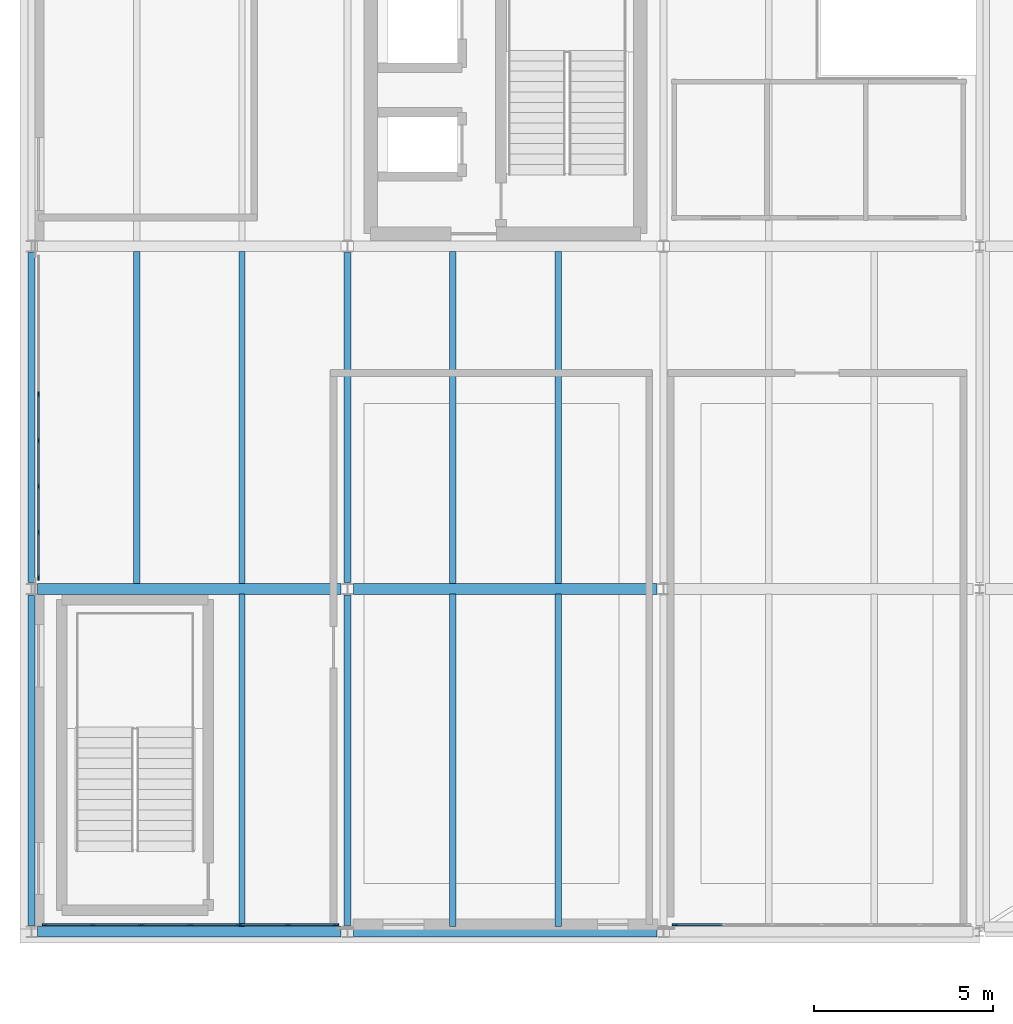
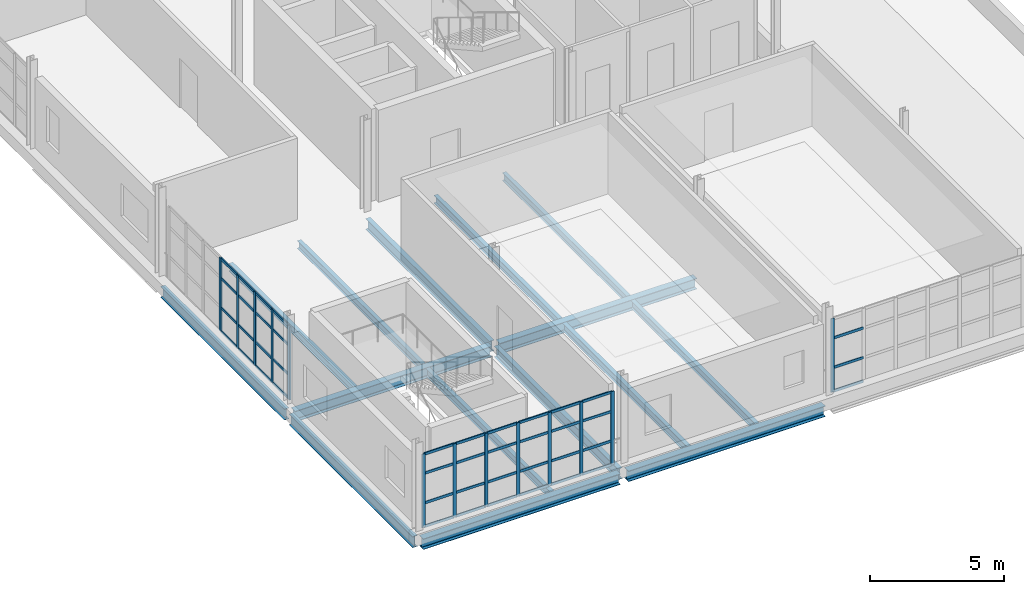
# One storey, part 16 of 58: 56 members, 15 beams, 3 elements without a shape of their own.
"""IFC4 building model written with IfcOpenShell, lengths in metres."""

from ifc_helpers import new_model, si_unit, direction, frame, origin, origin_2d, place, context, subcontext, project, spatial, rectangle, i_section, extrude, material, layer, layer_set, material_profile, profile_set, type_object, element, aggregate, save


model = new_model("IFC4")

# Units and contexts
model_context = context("Model", 3, precision=1e-05, world=origin(), true_north=direction((0.0, 1.0)))
body_context = subcontext(model_context, "Body", "Model", "MODEL_VIEW")
ifc_project = project(units=[si_unit("LENGTHUNIT", "METRE"), si_unit("AREAUNIT", "SQUARE_METRE"), si_unit("VOLUMEUNIT", "CUBIC_METRE"), si_unit("PLANEANGLEUNIT", "RADIAN"), si_unit("MASSUNIT", "GRAM", prefix="KILO")], contexts=[model_context])

# Site, building, storey
site_placement = place(None, origin())
site = spatial("IfcSite", under=ifc_project, at=site_placement, CompositionType="ELEMENT")
building_placement = place(site_placement, origin())
building = spatial("IfcBuilding", under=site, at=building_placement, Name="Yeouljin Market Hall", CompositionType="ELEMENT")
storey_placement = place(building_placement, frame((0.0, 0.0, 10.800048828125)))
storey = spatial("IfcBuildingStorey", under=building, at=storey_placement, Name="L02", CompositionType="ELEMENT", Elevation=10.800048828125)

# Beams
ifc_material_1 = material(Name="Steel SM355", Category="steel")
ifc_material_profile_1 = material_profile(ifc_material_1, i_section(OverallWidth=0.199951171875, OverallDepth=0.5, WebThickness=0.010009765625, FlangeThickness=0.01611328125, FilletRadius=0.02001953125, at=origin_2d()), Name="H-500x200x10x16")
ifc_profile_set_1 = profile_set([ifc_material_profile_1], Name="Steel SM355")
beam_type_1 = type_object("IfcBeamType", Name="Beam_H-500x200x10x16", PredefinedType="BEAM", material=ifc_profile_set_1)
for number, where, z_axis, x_axis, name in (
    (1, (0.0, 0.175048828125, -0.51513671875), (0.0, 1.0, 0.0), (-1.0, 0.0, 0.0), "Primary beam BM-L02-Y077"),
    (2, (0.0, 9.77490234375, -0.51513671875), (0.0, 1.0, 0.0), (-1.0, 0.0, 0.0), "Primary beam BM-L02-Y078"),
    (3, (8.85009765625, 0.175048828125, -0.51513671875), (0.0, 1.0, 0.0), (-1.0, 0.0, 0.0), "Primary beam BM-L02-Y081"),
    (4, (8.85009765625, 9.77490234375, -0.51513671875), (0.0, 1.0, 0.0), (-1.0, 0.0, 0.0), "Primary beam BM-L02-Y082"),
):
    element("IfcBeam", number, at=place(storey_placement, frame(where, z_axis=z_axis, x_axis=x_axis)), inside=storey, type_object=beam_type_1, Name=name, PredefinedType="BEAM", context=body_context, shape_type="SweptSolid", body=[
        extrude(i_section(OverallWidth=0.199951171875, OverallDepth=0.5, WebThickness=0.010009765625, FlangeThickness=0.01611328125, FilletRadius=0.02001953125, at=origin_2d()), origin(), (0.0, 0.0, 1.0), 9.25),
    ])

# Curtain wall, member
ifc_material_2 = material(Name="Thermally Broken Aluminium", Category="aluminium")
ifc_layer = layer(ifc_material_2, 0.14990234375)
ifc_layer_set = layer_set([ifc_layer], Name="Thermally Broken Aluminium")
curtain_wall_type = type_object("IfcCurtainWallType", Name="CW_AcademyRibbon_System", PredefinedType="USERDEFINED", material=ifc_layer_set)
curtain_wall_1_placement = place(storey_placement, origin())
curtain_wall_1 = element("IfcCurtainWall", 5, at=curtain_wall_1_placement, inside=storey, type_object=curtain_wall_type, Name="Curtain wall CW-L02-W01", ObjectType="CURTAIN WALL", PredefinedType="USERDEFINED")
ifc_material_3 = material(Name="Thermally Broken Aluminium", Category="aluminium")
ifc_material_profile_2 = material_profile(ifc_material_3, rectangle(XDim=0.048095703125, YDim=0.14990234375, at=origin_2d()), Name="CW-MULL-48x150")
ifc_profile_set_2 = profile_set([ifc_material_profile_2], Name="Thermally Broken Aluminium")
member_type_1 = type_object("IfcMemberType", Name="CWMullion_48x150", PredefinedType="MULLION", material=ifc_profile_set_2)
member_1_placement = place(storey_placement, frame((18.02392578125, 0.199951171875, 0.0), z_axis=(0.0, 0.0, 1.0), x_axis=(0.0, -1.0, 0.0)))
member_1 = element("IfcMember", 6, at=member_1_placement, type_object=member_type_1, Name="CW-05 mullion 7", PredefinedType="MULLION", context=body_context, shape_type="SweptSolid", body=[
    extrude(rectangle(XDim=0.048095703125, YDim=0.14990234375, at=origin_2d()), origin(), (0.0, 0.0, 1.0), 3.349853515625),
])

# Curtain wall, members
curtain_wall_2_placement = place(storey_placement, origin())
curtain_wall_2 = element("IfcCurtainWall", 7, at=curtain_wall_2_placement, inside=storey, type_object=curtain_wall_type, Name="Curtain wall CW-L02-W03", ObjectType="CURTAIN WALL", PredefinedType="USERDEFINED")
member_2_placement = place(storey_placement, frame((8.52587890625, 0.199951171875, 0.0), z_axis=(0.0, 0.0, 1.0), x_axis=(0.0, -1.0, 0.0)))
member_2 = element("IfcMember", 8, at=member_2_placement, type_object=member_type_1, Name="CW-05 mullion 1", PredefinedType="MULLION", context=body_context, shape_type="SweptSolid", body=[
    extrude(rectangle(XDim=0.048095703125, YDim=0.14990234375, at=origin_2d()), origin(), (0.0, 0.0, 1.0), 3.349853515625),
])
member_3_placement = place(storey_placement, frame((7.183349609375, 0.199951171875, 0.0), z_axis=(0.0, 0.0, 1.0), x_axis=(0.0, -1.0, 0.0)))
member_3 = element("IfcMember", 9, at=member_3_placement, type_object=member_type_1, Name="CW-05 mullion 2", PredefinedType="MULLION", context=body_context, shape_type="SweptSolid", body=[
    extrude(rectangle(XDim=0.048095703125, YDim=0.14990234375, at=origin_2d()), origin(), (0.0, 0.0, 1.0), 3.349853515625),
])
member_4_placement = place(storey_placement, frame((5.816650390625, 0.199951171875, 0.0), z_axis=(0.0, 0.0, 1.0), x_axis=(0.0, -1.0, 0.0)))
member_4 = element("IfcMember", 10, at=member_4_placement, type_object=member_type_1, Name="CW-05 mullion 3", PredefinedType="MULLION", context=body_context, shape_type="SweptSolid", body=[
    extrude(rectangle(XDim=0.048095703125, YDim=0.14990234375, at=origin_2d()), origin(), (0.0, 0.0, 1.0), 3.349853515625),
])
member_5_placement = place(storey_placement, frame((4.449951171875, 0.199951171875, 0.0), z_axis=(0.0, 0.0, 1.0), x_axis=(0.0, -1.0, 0.0)))
member_5 = element("IfcMember", 11, at=member_5_placement, type_object=member_type_1, Name="CW-05 mullion 4", PredefinedType="MULLION", context=body_context, shape_type="SweptSolid", body=[
    extrude(rectangle(XDim=0.048095703125, YDim=0.14990234375, at=origin_2d()), origin(), (0.0, 0.0, 1.0), 3.349853515625),
])
member_6_placement = place(storey_placement, frame((3.083251953125, 0.199951171875, 0.0), z_axis=(0.0, 0.0, 1.0), x_axis=(0.0, -1.0, 0.0)))
member_6 = element("IfcMember", 12, at=member_6_placement, type_object=member_type_1, Name="CW-05 mullion 5", PredefinedType="MULLION", context=body_context, shape_type="SweptSolid", body=[
    extrude(rectangle(XDim=0.048095703125, YDim=0.14990234375, at=origin_2d()), origin(), (0.0, 0.0, 1.0), 3.349853515625),
])
member_7_placement = place(storey_placement, frame((1.716552734375, 0.199951171875, 0.0), z_axis=(0.0, 0.0, 1.0), x_axis=(0.0, -1.0, 0.0)))
member_7 = element("IfcMember", 13, at=member_7_placement, type_object=member_type_1, Name="CW-05 mullion 6", PredefinedType="MULLION", context=body_context, shape_type="SweptSolid", body=[
    extrude(rectangle(XDim=0.048095703125, YDim=0.14990234375, at=origin_2d()), origin(), (0.0, 0.0, 1.0), 3.349853515625),
])
member_8_placement = place(storey_placement, frame((0.3740234375, 0.199951171875, 0.0), z_axis=(0.0, 0.0, 1.0), x_axis=(0.0, -1.0, 0.0)))
member_8 = element("IfcMember", 14, at=member_8_placement, type_object=member_type_1, Name="CW-05 mullion 7", PredefinedType="MULLION", context=body_context, shape_type="SweptSolid", body=[
    extrude(rectangle(XDim=0.048095703125, YDim=0.14990234375, at=origin_2d()), origin(), (0.0, 0.0, 1.0), 3.349853515625),
])

curtain_wall_3_placement = place(storey_placement, origin())
curtain_wall_3 = element("IfcCurtainWall", 15, at=curtain_wall_3_placement, inside=storey, type_object=curtain_wall_type, Name="Curtain wall CW-L02-W05", ObjectType="CURTAIN WALL", PredefinedType="USERDEFINED")
member_9_placement = place(storey_placement, frame((0.199951171875, 9.924072265625, 0.0), z_axis=(0.0, 0.0, 1.0), x_axis=(-1.0, 0.0, 0.0)))
member_9 = element("IfcMember", 16, at=member_9_placement, type_object=member_type_1, Name="CW-05 mullion 1", PredefinedType="MULLION", context=body_context, shape_type="SweptSolid", body=[
    extrude(rectangle(XDim=0.048095703125, YDim=0.14990234375, at=origin_2d()), origin(), (0.0, 0.0, 1.0), 3.349853515625),
])
member_10_placement = place(storey_placement, frame((0.199951171875, 11.185791015625, 0.0), z_axis=(0.0, 0.0, 1.0), x_axis=(-1.0, 0.0, 0.0)))
member_10 = element("IfcMember", 17, at=member_10_placement, type_object=member_type_1, Name="CW-05 mullion 2", PredefinedType="MULLION", context=body_context, shape_type="SweptSolid", body=[
    extrude(rectangle(XDim=0.048095703125, YDim=0.14990234375, at=origin_2d()), origin(), (0.0, 0.0, 1.0), 3.349853515625),
])
member_11_placement = place(storey_placement, frame((0.199951171875, 12.471435546875, 0.0), z_axis=(0.0, 0.0, 1.0), x_axis=(-1.0, 0.0, 0.0)))
member_11 = element("IfcMember", 18, at=member_11_placement, type_object=member_type_1, Name="CW-05 mullion 3", PredefinedType="MULLION", context=body_context, shape_type="SweptSolid", body=[
    extrude(rectangle(XDim=0.048095703125, YDim=0.14990234375, at=origin_2d()), origin(), (0.0, 0.0, 1.0), 3.349853515625),
])
member_12_placement = place(storey_placement, frame((0.199951171875, 13.757080078125, 0.0), z_axis=(0.0, 0.0, 1.0), x_axis=(-1.0, 0.0, 0.0)))
member_12 = element("IfcMember", 19, at=member_12_placement, type_object=member_type_1, Name="CW-05 mullion 4", PredefinedType="MULLION", context=body_context, shape_type="SweptSolid", body=[
    extrude(rectangle(XDim=0.048095703125, YDim=0.14990234375, at=origin_2d()), origin(), (0.0, 0.0, 1.0), 3.349853515625),
])
member_13_placement = place(storey_placement, frame((0.199951171875, 15.04296875, 0.0), z_axis=(0.0, 0.0, 1.0), x_axis=(-1.0, 0.0, 0.0)))
member_13 = element("IfcMember", 20, at=member_13_placement, type_object=member_type_1, Name="CW-05 mullion 5", PredefinedType="MULLION", context=body_context, shape_type="SweptSolid", body=[
    extrude(rectangle(XDim=0.048095703125, YDim=0.14990234375, at=origin_2d()), origin(), (0.0, 0.0, 1.0), 3.349853515625),
])

# Member
ifc_material_4 = material(Name="Thermally Broken Aluminium", Category="aluminium")
ifc_material_profile_3 = material_profile(ifc_material_4, rectangle(XDim=0.048095703125, YDim=0.1201171875, at=origin_2d()), Name="CW-TRAN-48x120")
ifc_profile_set_3 = profile_set([ifc_material_profile_3], Name="Thermally Broken Aluminium")
member_type_2 = type_object("IfcMemberType", Name="CWTransom_48x120", PredefinedType="USERDEFINED", material=ifc_profile_set_3)
member_14_placement = place(storey_placement, frame((19.35107421875, 0.199951171875, 0.02392578125), z_axis=(-1.0, 0.0, 0.0), x_axis=(0.0, -1.0, 0.0)))
member_14 = element("IfcMember", 21, at=member_14_placement, type_object=member_type_2, Name="CW-05 transom 6.1", ObjectType="TRANSOM", PredefinedType="USERDEFINED", context=body_context, shape_type="SweptSolid", body=[
    extrude(rectangle(XDim=0.048095703125, YDim=0.1201171875, at=origin_2d()), origin(), (0.0, 0.0, 1.0), 1.302978515625),
])

member_15_placement = place(storey_placement, frame((19.35107421875, 0.199951171875, 1.099853515625), z_axis=(-1.0, 0.0, 0.0), x_axis=(0.0, -1.0, 0.0)))
member_15 = element("IfcMember", 22, at=member_15_placement, type_object=member_type_2, Name="CW-05 transom 6.2", ObjectType="TRANSOM", PredefinedType="USERDEFINED", context=body_context, shape_type="SweptSolid", body=[
    extrude(rectangle(XDim=0.048095703125, YDim=0.1201171875, at=origin_2d()), origin(), (0.0, 0.0, 1.0), 1.302978515625),
])

member_16_placement = place(storey_placement, frame((19.35107421875, 0.199951171875, 2.449951171875), z_axis=(-1.0, 0.0, 0.0), x_axis=(0.0, -1.0, 0.0)))
member_16 = element("IfcMember", 23, at=member_16_placement, type_object=member_type_2, Name="CW-05 transom 6.3", ObjectType="TRANSOM", PredefinedType="USERDEFINED", context=body_context, shape_type="SweptSolid", body=[
    extrude(rectangle(XDim=0.048095703125, YDim=0.1201171875, at=origin_2d()), origin(), (0.0, 0.0, 1.0), 1.302978515625),
])

aggregate(curtain_wall_1, [member_1, member_14, member_15, member_16])

member_17_placement = place(storey_placement, frame((8.501953125, 0.199951171875, 0.02392578125), z_axis=(-1.0, 0.0, 0.0), x_axis=(0.0, -1.0, 0.0)))
member_17 = element("IfcMember", 24, at=member_17_placement, type_object=member_type_2, Name="CW-05 transom 1.1", ObjectType="TRANSOM", PredefinedType="USERDEFINED", context=body_context, shape_type="SweptSolid", body=[
    extrude(rectangle(XDim=0.048095703125, YDim=0.1201171875, at=origin_2d()), origin(), (0.0, 0.0, 1.0), 1.294677734375),
])

member_18_placement = place(storey_placement, frame((8.501953125, 0.199951171875, 1.099853515625), z_axis=(-1.0, 0.0, 0.0), x_axis=(0.0, -1.0, 0.0)))
member_18 = element("IfcMember", 25, at=member_18_placement, type_object=member_type_2, Name="CW-05 transom 1.2", ObjectType="TRANSOM", PredefinedType="USERDEFINED", context=body_context, shape_type="SweptSolid", body=[
    extrude(rectangle(XDim=0.048095703125, YDim=0.1201171875, at=origin_2d()), origin(), (0.0, 0.0, 1.0), 1.294677734375),
])

member_19_placement = place(storey_placement, frame((8.501953125, 0.199951171875, 2.449951171875), z_axis=(-1.0, 0.0, 0.0), x_axis=(0.0, -1.0, 0.0)))
member_19 = element("IfcMember", 26, at=member_19_placement, type_object=member_type_2, Name="CW-05 transom 1.3", ObjectType="TRANSOM", PredefinedType="USERDEFINED", context=body_context, shape_type="SweptSolid", body=[
    extrude(rectangle(XDim=0.048095703125, YDim=0.1201171875, at=origin_2d()), origin(), (0.0, 0.0, 1.0), 1.294677734375),
])

member_20_placement = place(storey_placement, frame((8.501953125, 0.199951171875, 3.325927734375), z_axis=(-1.0, 0.0, 0.0), x_axis=(0.0, -1.0, 0.0)))
member_20 = element("IfcMember", 27, at=member_20_placement, type_object=member_type_2, Name="CW-05 transom 1.4", ObjectType="TRANSOM", PredefinedType="USERDEFINED", context=body_context, shape_type="SweptSolid", body=[
    extrude(rectangle(XDim=0.048095703125, YDim=0.1201171875, at=origin_2d()), origin(), (0.0, 0.0, 1.0), 1.294677734375),
])

member_21_placement = place(storey_placement, frame((7.159423828125, 0.199951171875, 0.02392578125), z_axis=(-1.0, 0.0, 0.0), x_axis=(0.0, -1.0, 0.0)))
member_21 = element("IfcMember", 28, at=member_21_placement, type_object=member_type_2, Name="CW-05 transom 2.1", ObjectType="TRANSOM", PredefinedType="USERDEFINED", context=body_context, shape_type="SweptSolid", body=[
    extrude(rectangle(XDim=0.048095703125, YDim=0.1201171875, at=origin_2d()), origin(), (0.0, 0.0, 1.0), 1.31884765625),
])

member_22_placement = place(storey_placement, frame((7.159423828125, 0.199951171875, 1.099853515625), z_axis=(-1.0, 0.0, 0.0), x_axis=(0.0, -1.0, 0.0)))
member_22 = element("IfcMember", 29, at=member_22_placement, type_object=member_type_2, Name="CW-05 transom 2.2", ObjectType="TRANSOM", PredefinedType="USERDEFINED", context=body_context, shape_type="SweptSolid", body=[
    extrude(rectangle(XDim=0.048095703125, YDim=0.1201171875, at=origin_2d()), origin(), (0.0, 0.0, 1.0), 1.31884765625),
])

member_23_placement = place(storey_placement, frame((7.159423828125, 0.199951171875, 2.449951171875), z_axis=(-1.0, 0.0, 0.0), x_axis=(0.0, -1.0, 0.0)))
member_23 = element("IfcMember", 30, at=member_23_placement, type_object=member_type_2, Name="CW-05 transom 2.3", ObjectType="TRANSOM", PredefinedType="USERDEFINED", context=body_context, shape_type="SweptSolid", body=[
    extrude(rectangle(XDim=0.048095703125, YDim=0.1201171875, at=origin_2d()), origin(), (0.0, 0.0, 1.0), 1.31884765625),
])

member_24_placement = place(storey_placement, frame((7.159423828125, 0.199951171875, 3.325927734375), z_axis=(-1.0, 0.0, 0.0), x_axis=(0.0, -1.0, 0.0)))
member_24 = element("IfcMember", 31, at=member_24_placement, type_object=member_type_2, Name="CW-05 transom 2.4", ObjectType="TRANSOM", PredefinedType="USERDEFINED", context=body_context, shape_type="SweptSolid", body=[
    extrude(rectangle(XDim=0.048095703125, YDim=0.1201171875, at=origin_2d()), origin(), (0.0, 0.0, 1.0), 1.31884765625),
])

member_25_placement = place(storey_placement, frame((5.792724609375, 0.199951171875, 0.02392578125), z_axis=(-1.0, 0.0, 0.0), x_axis=(0.0, -1.0, 0.0)))
member_25 = element("IfcMember", 32, at=member_25_placement, type_object=member_type_2, Name="CW-05 transom 3.1", ObjectType="TRANSOM", PredefinedType="USERDEFINED", context=body_context, shape_type="SweptSolid", body=[
    extrude(rectangle(XDim=0.048095703125, YDim=0.1201171875, at=origin_2d()), origin(), (0.0, 0.0, 1.0), 1.318603515625),
])

member_26_placement = place(storey_placement, frame((5.792724609375, 0.199951171875, 1.099853515625), z_axis=(-1.0, 0.0, 0.0), x_axis=(0.0, -1.0, 0.0)))
member_26 = element("IfcMember", 33, at=member_26_placement, type_object=member_type_2, Name="CW-05 transom 3.2", ObjectType="TRANSOM", PredefinedType="USERDEFINED", context=body_context, shape_type="SweptSolid", body=[
    extrude(rectangle(XDim=0.048095703125, YDim=0.1201171875, at=origin_2d()), origin(), (0.0, 0.0, 1.0), 1.318603515625),
])

member_27_placement = place(storey_placement, frame((5.792724609375, 0.199951171875, 2.449951171875), z_axis=(-1.0, 0.0, 0.0), x_axis=(0.0, -1.0, 0.0)))
member_27 = element("IfcMember", 34, at=member_27_placement, type_object=member_type_2, Name="CW-05 transom 3.3", ObjectType="TRANSOM", PredefinedType="USERDEFINED", context=body_context, shape_type="SweptSolid", body=[
    extrude(rectangle(XDim=0.048095703125, YDim=0.1201171875, at=origin_2d()), origin(), (0.0, 0.0, 1.0), 1.318603515625),
])

member_28_placement = place(storey_placement, frame((5.792724609375, 0.199951171875, 3.325927734375), z_axis=(-1.0, 0.0, 0.0), x_axis=(0.0, -1.0, 0.0)))
member_28 = element("IfcMember", 35, at=member_28_placement, type_object=member_type_2, Name="CW-05 transom 3.4", ObjectType="TRANSOM", PredefinedType="USERDEFINED", context=body_context, shape_type="SweptSolid", body=[
    extrude(rectangle(XDim=0.048095703125, YDim=0.1201171875, at=origin_2d()), origin(), (0.0, 0.0, 1.0), 1.318603515625),
])

member_29_placement = place(storey_placement, frame((4.426025390625, 0.199951171875, 0.02392578125), z_axis=(-1.0, 0.0, 0.0), x_axis=(0.0, -1.0, 0.0)))
member_29 = element("IfcMember", 36, at=member_29_placement, type_object=member_type_2, Name="CW-05 transom 4.1", ObjectType="TRANSOM", PredefinedType="USERDEFINED", context=body_context, shape_type="SweptSolid", body=[
    extrude(rectangle(XDim=0.048095703125, YDim=0.1201171875, at=origin_2d()), origin(), (0.0, 0.0, 1.0), 1.318603515625),
])

member_30_placement = place(storey_placement, frame((4.426025390625, 0.199951171875, 1.099853515625), z_axis=(-1.0, 0.0, 0.0), x_axis=(0.0, -1.0, 0.0)))
member_30 = element("IfcMember", 37, at=member_30_placement, type_object=member_type_2, Name="CW-05 transom 4.2", ObjectType="TRANSOM", PredefinedType="USERDEFINED", context=body_context, shape_type="SweptSolid", body=[
    extrude(rectangle(XDim=0.048095703125, YDim=0.1201171875, at=origin_2d()), origin(), (0.0, 0.0, 1.0), 1.318603515625),
])

member_31_placement = place(storey_placement, frame((4.426025390625, 0.199951171875, 2.449951171875), z_axis=(-1.0, 0.0, 0.0), x_axis=(0.0, -1.0, 0.0)))
member_31 = element("IfcMember", 38, at=member_31_placement, type_object=member_type_2, Name="CW-05 transom 4.3", ObjectType="TRANSOM", PredefinedType="USERDEFINED", context=body_context, shape_type="SweptSolid", body=[
    extrude(rectangle(XDim=0.048095703125, YDim=0.1201171875, at=origin_2d()), origin(), (0.0, 0.0, 1.0), 1.318603515625),
])

member_32_placement = place(storey_placement, frame((4.426025390625, 0.199951171875, 3.325927734375), z_axis=(-1.0, 0.0, 0.0), x_axis=(0.0, -1.0, 0.0)))
member_32 = element("IfcMember", 39, at=member_32_placement, type_object=member_type_2, Name="CW-05 transom 4.4", ObjectType="TRANSOM", PredefinedType="USERDEFINED", context=body_context, shape_type="SweptSolid", body=[
    extrude(rectangle(XDim=0.048095703125, YDim=0.1201171875, at=origin_2d()), origin(), (0.0, 0.0, 1.0), 1.318603515625),
])

member_33_placement = place(storey_placement, frame((3.059326171875, 0.199951171875, 0.02392578125), z_axis=(-1.0, 0.0, 0.0), x_axis=(0.0, -1.0, 0.0)))
member_33 = element("IfcMember", 40, at=member_33_placement, type_object=member_type_2, Name="CW-05 transom 5.1", ObjectType="TRANSOM", PredefinedType="USERDEFINED", context=body_context, shape_type="SweptSolid", body=[
    extrude(rectangle(XDim=0.048095703125, YDim=0.1201171875, at=origin_2d()), origin(), (0.0, 0.0, 1.0), 1.318603515625),
])

member_34_placement = place(storey_placement, frame((3.059326171875, 0.199951171875, 1.099853515625), z_axis=(-1.0, 0.0, 0.0), x_axis=(0.0, -1.0, 0.0)))
member_34 = element("IfcMember", 41, at=member_34_placement, type_object=member_type_2, Name="CW-05 transom 5.2", ObjectType="TRANSOM", PredefinedType="USERDEFINED", context=body_context, shape_type="SweptSolid", body=[
    extrude(rectangle(XDim=0.048095703125, YDim=0.1201171875, at=origin_2d()), origin(), (0.0, 0.0, 1.0), 1.318603515625),
])

member_35_placement = place(storey_placement, frame((3.059326171875, 0.199951171875, 2.449951171875), z_axis=(-1.0, 0.0, 0.0), x_axis=(0.0, -1.0, 0.0)))
member_35 = element("IfcMember", 42, at=member_35_placement, type_object=member_type_2, Name="CW-05 transom 5.3", ObjectType="TRANSOM", PredefinedType="USERDEFINED", context=body_context, shape_type="SweptSolid", body=[
    extrude(rectangle(XDim=0.048095703125, YDim=0.1201171875, at=origin_2d()), origin(), (0.0, 0.0, 1.0), 1.318603515625),
])

member_36_placement = place(storey_placement, frame((3.059326171875, 0.199951171875, 3.325927734375), z_axis=(-1.0, 0.0, 0.0), x_axis=(0.0, -1.0, 0.0)))
member_36 = element("IfcMember", 43, at=member_36_placement, type_object=member_type_2, Name="CW-05 transom 5.4", ObjectType="TRANSOM", PredefinedType="USERDEFINED", context=body_context, shape_type="SweptSolid", body=[
    extrude(rectangle(XDim=0.048095703125, YDim=0.1201171875, at=origin_2d()), origin(), (0.0, 0.0, 1.0), 1.318603515625),
])

member_37_placement = place(storey_placement, frame((1.692626953125, 0.199951171875, 0.02392578125), z_axis=(-1.0, 0.0, 0.0), x_axis=(0.0, -1.0, 0.0)))
member_37 = element("IfcMember", 44, at=member_37_placement, type_object=member_type_2, Name="CW-05 transom 6.1", ObjectType="TRANSOM", PredefinedType="USERDEFINED", context=body_context, shape_type="SweptSolid", body=[
    extrude(rectangle(XDim=0.048095703125, YDim=0.1201171875, at=origin_2d()), origin(), (0.0, 0.0, 1.0), 1.294677734375),
])

member_38_placement = place(storey_placement, frame((1.692626953125, 0.199951171875, 1.099853515625), z_axis=(-1.0, 0.0, 0.0), x_axis=(0.0, -1.0, 0.0)))
member_38 = element("IfcMember", 45, at=member_38_placement, type_object=member_type_2, Name="CW-05 transom 6.2", ObjectType="TRANSOM", PredefinedType="USERDEFINED", context=body_context, shape_type="SweptSolid", body=[
    extrude(rectangle(XDim=0.048095703125, YDim=0.1201171875, at=origin_2d()), origin(), (0.0, 0.0, 1.0), 1.294677734375),
])

member_39_placement = place(storey_placement, frame((1.692626953125, 0.199951171875, 2.449951171875), z_axis=(-1.0, 0.0, 0.0), x_axis=(0.0, -1.0, 0.0)))
member_39 = element("IfcMember", 46, at=member_39_placement, type_object=member_type_2, Name="CW-05 transom 6.3", ObjectType="TRANSOM", PredefinedType="USERDEFINED", context=body_context, shape_type="SweptSolid", body=[
    extrude(rectangle(XDim=0.048095703125, YDim=0.1201171875, at=origin_2d()), origin(), (0.0, 0.0, 1.0), 1.294677734375),
])

member_40_placement = place(storey_placement, frame((1.692626953125, 0.199951171875, 3.325927734375), z_axis=(-1.0, 0.0, 0.0), x_axis=(0.0, -1.0, 0.0)))
member_40 = element("IfcMember", 47, at=member_40_placement, type_object=member_type_2, Name="CW-05 transom 6.4", ObjectType="TRANSOM", PredefinedType="USERDEFINED", context=body_context, shape_type="SweptSolid", body=[
    extrude(rectangle(XDim=0.048095703125, YDim=0.1201171875, at=origin_2d()), origin(), (0.0, 0.0, 1.0), 1.294677734375),
])

aggregate(curtain_wall_2, [member_2, member_3, member_4, member_5, member_6, member_7, member_8, member_17, member_18, member_19, member_20, member_21, member_22, member_23, member_24, member_25, member_26, member_27, member_28, member_29, member_30, member_31, member_32, member_33, member_34, member_35, member_36, member_37, member_38, member_39, member_40])

member_41_placement = place(storey_placement, frame((0.199951171875, 9.947998046875, 0.02392578125), z_axis=(0.0, 1.0, 0.0), x_axis=(-1.0, 0.0, 0.0)))
member_41 = element("IfcMember", 48, at=member_41_placement, type_object=member_type_2, Name="CW-05 transom 1.1", ObjectType="TRANSOM", PredefinedType="USERDEFINED", context=body_context, shape_type="SweptSolid", body=[
    extrude(rectangle(XDim=0.048095703125, YDim=0.1201171875, at=origin_2d()), origin(), (0.0, 0.0, 1.0), 1.213623046875),
])

member_42_placement = place(storey_placement, frame((0.199951171875, 9.947998046875, 1.099853515625), z_axis=(0.0, 1.0, 0.0), x_axis=(-1.0, 0.0, 0.0)))
member_42 = element("IfcMember", 49, at=member_42_placement, type_object=member_type_2, Name="CW-05 transom 1.2", ObjectType="TRANSOM", PredefinedType="USERDEFINED", context=body_context, shape_type="SweptSolid", body=[
    extrude(rectangle(XDim=0.048095703125, YDim=0.1201171875, at=origin_2d()), origin(), (0.0, 0.0, 1.0), 1.213623046875),
])

member_43_placement = place(storey_placement, frame((0.199951171875, 9.947998046875, 2.449951171875), z_axis=(0.0, 1.0, 0.0), x_axis=(-1.0, 0.0, 0.0)))
member_43 = element("IfcMember", 50, at=member_43_placement, type_object=member_type_2, Name="CW-05 transom 1.3", ObjectType="TRANSOM", PredefinedType="USERDEFINED", context=body_context, shape_type="SweptSolid", body=[
    extrude(rectangle(XDim=0.048095703125, YDim=0.1201171875, at=origin_2d()), origin(), (0.0, 0.0, 1.0), 1.213623046875),
])

member_44_placement = place(storey_placement, frame((0.199951171875, 9.947998046875, 3.325927734375), z_axis=(0.0, 1.0, 0.0), x_axis=(-1.0, 0.0, 0.0)))
member_44 = element("IfcMember", 51, at=member_44_placement, type_object=member_type_2, Name="CW-05 transom 1.4", ObjectType="TRANSOM", PredefinedType="USERDEFINED", context=body_context, shape_type="SweptSolid", body=[
    extrude(rectangle(XDim=0.048095703125, YDim=0.1201171875, at=origin_2d()), origin(), (0.0, 0.0, 1.0), 1.213623046875),
])

member_45_placement = place(storey_placement, frame((0.199951171875, 11.209716796875, 0.02392578125), z_axis=(0.0, 1.0, 0.0), x_axis=(-1.0, 0.0, 0.0)))
member_45 = element("IfcMember", 52, at=member_45_placement, type_object=member_type_2, Name="CW-05 transom 2.1", ObjectType="TRANSOM", PredefinedType="USERDEFINED", context=body_context, shape_type="SweptSolid", body=[
    extrude(rectangle(XDim=0.048095703125, YDim=0.1201171875, at=origin_2d()), origin(), (0.0, 0.0, 1.0), 1.23779296875),
])

member_46_placement = place(storey_placement, frame((0.199951171875, 11.209716796875, 1.099853515625), z_axis=(0.0, 1.0, 0.0), x_axis=(-1.0, 0.0, 0.0)))
member_46 = element("IfcMember", 53, at=member_46_placement, type_object=member_type_2, Name="CW-05 transom 2.2", ObjectType="TRANSOM", PredefinedType="USERDEFINED", context=body_context, shape_type="SweptSolid", body=[
    extrude(rectangle(XDim=0.048095703125, YDim=0.1201171875, at=origin_2d()), origin(), (0.0, 0.0, 1.0), 1.23779296875),
])

member_47_placement = place(storey_placement, frame((0.199951171875, 11.209716796875, 2.449951171875), z_axis=(0.0, 1.0, 0.0), x_axis=(-1.0, 0.0, 0.0)))
member_47 = element("IfcMember", 54, at=member_47_placement, type_object=member_type_2, Name="CW-05 transom 2.3", ObjectType="TRANSOM", PredefinedType="USERDEFINED", context=body_context, shape_type="SweptSolid", body=[
    extrude(rectangle(XDim=0.048095703125, YDim=0.1201171875, at=origin_2d()), origin(), (0.0, 0.0, 1.0), 1.23779296875),
])

member_48_placement = place(storey_placement, frame((0.199951171875, 11.209716796875, 3.325927734375), z_axis=(0.0, 1.0, 0.0), x_axis=(-1.0, 0.0, 0.0)))
member_48 = element("IfcMember", 55, at=member_48_placement, type_object=member_type_2, Name="CW-05 transom 2.4", ObjectType="TRANSOM", PredefinedType="USERDEFINED", context=body_context, shape_type="SweptSolid", body=[
    extrude(rectangle(XDim=0.048095703125, YDim=0.1201171875, at=origin_2d()), origin(), (0.0, 0.0, 1.0), 1.23779296875),
])

member_49_placement = place(storey_placement, frame((0.199951171875, 12.495361328125, 0.02392578125), z_axis=(0.0, 1.0, 0.0), x_axis=(-1.0, 0.0, 0.0)))
member_49 = element("IfcMember", 56, at=member_49_placement, type_object=member_type_2, Name="CW-05 transom 3.1", ObjectType="TRANSOM", PredefinedType="USERDEFINED", context=body_context, shape_type="SweptSolid", body=[
    extrude(rectangle(XDim=0.048095703125, YDim=0.1201171875, at=origin_2d()), origin(), (0.0, 0.0, 1.0), 1.23779296875),
])

member_50_placement = place(storey_placement, frame((0.199951171875, 12.495361328125, 1.099853515625), z_axis=(0.0, 1.0, 0.0), x_axis=(-1.0, 0.0, 0.0)))
member_50 = element("IfcMember", 57, at=member_50_placement, type_object=member_type_2, Name="CW-05 transom 3.2", ObjectType="TRANSOM", PredefinedType="USERDEFINED", context=body_context, shape_type="SweptSolid", body=[
    extrude(rectangle(XDim=0.048095703125, YDim=0.1201171875, at=origin_2d()), origin(), (0.0, 0.0, 1.0), 1.23779296875),
])

member_51_placement = place(storey_placement, frame((0.199951171875, 12.495361328125, 2.449951171875), z_axis=(0.0, 1.0, 0.0), x_axis=(-1.0, 0.0, 0.0)))
member_51 = element("IfcMember", 58, at=member_51_placement, type_object=member_type_2, Name="CW-05 transom 3.3", ObjectType="TRANSOM", PredefinedType="USERDEFINED", context=body_context, shape_type="SweptSolid", body=[
    extrude(rectangle(XDim=0.048095703125, YDim=0.1201171875, at=origin_2d()), origin(), (0.0, 0.0, 1.0), 1.23779296875),
])

member_52_placement = place(storey_placement, frame((0.199951171875, 12.495361328125, 3.325927734375), z_axis=(0.0, 1.0, 0.0), x_axis=(-1.0, 0.0, 0.0)))
member_52 = element("IfcMember", 59, at=member_52_placement, type_object=member_type_2, Name="CW-05 transom 3.4", ObjectType="TRANSOM", PredefinedType="USERDEFINED", context=body_context, shape_type="SweptSolid", body=[
    extrude(rectangle(XDim=0.048095703125, YDim=0.1201171875, at=origin_2d()), origin(), (0.0, 0.0, 1.0), 1.23779296875),
])

member_53_placement = place(storey_placement, frame((0.199951171875, 13.78125, 0.02392578125), z_axis=(0.0, 1.0, 0.0), x_axis=(-1.0, 0.0, 0.0)))
member_53 = element("IfcMember", 60, at=member_53_placement, type_object=member_type_2, Name="CW-05 transom 4.1", ObjectType="TRANSOM", PredefinedType="USERDEFINED", context=body_context, shape_type="SweptSolid", body=[
    extrude(rectangle(XDim=0.048095703125, YDim=0.1201171875, at=origin_2d()), origin(), (0.0, 0.0, 1.0), 1.237548828125),
])

member_54_placement = place(storey_placement, frame((0.199951171875, 13.78125, 1.099853515625), z_axis=(0.0, 1.0, 0.0), x_axis=(-1.0, 0.0, 0.0)))
member_54 = element("IfcMember", 61, at=member_54_placement, type_object=member_type_2, Name="CW-05 transom 4.2", ObjectType="TRANSOM", PredefinedType="USERDEFINED", context=body_context, shape_type="SweptSolid", body=[
    extrude(rectangle(XDim=0.048095703125, YDim=0.1201171875, at=origin_2d()), origin(), (0.0, 0.0, 1.0), 1.237548828125),
])

member_55_placement = place(storey_placement, frame((0.199951171875, 13.78125, 2.449951171875), z_axis=(0.0, 1.0, 0.0), x_axis=(-1.0, 0.0, 0.0)))
member_55 = element("IfcMember", 62, at=member_55_placement, type_object=member_type_2, Name="CW-05 transom 4.3", ObjectType="TRANSOM", PredefinedType="USERDEFINED", context=body_context, shape_type="SweptSolid", body=[
    extrude(rectangle(XDim=0.048095703125, YDim=0.1201171875, at=origin_2d()), origin(), (0.0, 0.0, 1.0), 1.237548828125),
])

member_56_placement = place(storey_placement, frame((0.199951171875, 13.78125, 3.325927734375), z_axis=(0.0, 1.0, 0.0), x_axis=(-1.0, 0.0, 0.0)))
member_56 = element("IfcMember", 63, at=member_56_placement, type_object=member_type_2, Name="CW-05 transom 4.4", ObjectType="TRANSOM", PredefinedType="USERDEFINED", context=body_context, shape_type="SweptSolid", body=[
    extrude(rectangle(XDim=0.048095703125, YDim=0.1201171875, at=origin_2d()), origin(), (0.0, 0.0, 1.0), 1.237548828125),
])

aggregate(curtain_wall_3, [member_9, member_10, member_11, member_12, member_13, member_41, member_42, member_43, member_44, member_45, member_46, member_47, member_48, member_49, member_50, member_51, member_52, member_53, member_54, member_55, member_56])

# Beams
ifc_material_5 = material(Name="Steel SM355", Category="steel")
ifc_material_profile_4 = material_profile(ifc_material_5, i_section(OverallWidth=0.300048828125, OverallDepth=0.488037109375, WebThickness=0.010986328125, FlangeThickness=0.01806640625, FilletRadius=0.02197265625, at=origin_2d()), Name="H-488x300x11x18")
ifc_profile_set_4 = profile_set([ifc_material_profile_4], Name="Steel SM355")
beam_type_2 = type_object("IfcBeamType", Name="Girder_H-488x300x11x18", PredefinedType="USERDEFINED", material=ifc_profile_set_4)
for number, where, z_axis, x_axis, name in (
    (64, (0.175048828125, 0.0, -0.509033203125), (1.0, 0.0, 0.0), (0.0, 1.0, 0.0), "Primary girder GRD-L02-X001"),
    (65, (9.02490234375, 0.0, -0.509033203125), (1.0, 0.0, 0.0), (0.0, 1.0, 0.0), "Primary girder GRD-L02-X002"),
    (66, (0.175048828125, 9.60009765625, -0.509033203125), (1.0, 0.0, 0.0), (0.0, 1.0, 0.0), "Primary girder GRD-L02-X009"),
    (67, (9.02490234375, 9.60009765625, -0.509033203125), (1.0, 0.0, 0.0), (0.0, 1.0, 0.0), "Primary girder GRD-L02-X010"),
):
    element("IfcBeam", number, at=place(storey_placement, frame(where, z_axis=z_axis, x_axis=x_axis)), inside=storey, type_object=beam_type_2, Name=name, ObjectType="GIRDER", PredefinedType="USERDEFINED", context=body_context, shape_type="SweptSolid", body=[
        extrude(i_section(OverallWidth=0.300048828125, OverallDepth=0.488037109375, WebThickness=0.010986328125, FlangeThickness=0.01806640625, FilletRadius=0.02197265625, at=origin_2d()), origin(), (0.0, 0.0, 1.0), 8.5),
    ])
ifc_material_6 = material(Name="Steel SM355", Category="steel")
ifc_material_profile_5 = material_profile(ifc_material_6, i_section(OverallWidth=0.175048828125, OverallDepth=0.35009765625, WebThickness=0.007080078125, FlangeThickness=0.010986328125, FilletRadius=0.013916015625, at=origin_2d()), Name="H-350x175x7x11")
ifc_profile_set_5 = profile_set([ifc_material_profile_5], Name="Steel SM355")
beam_type_3 = type_object("IfcBeamType", Name="Joist_H-350x175x7x11", PredefinedType="JOIST", material=ifc_profile_set_5)
for number, where, z_axis, x_axis, name in (
    (68, (5.89990234375, 0.14697265625, -0.43994140625), (0.0, 1.0, 0.0), (-1.0, 0.0, 0.0), "Secondary floor joist L02-001"),
    (69, (2.949951171875, 9.7470703125, -0.43994140625), (0.0, 1.0, 0.0), (-1.0, 0.0, 0.0), "Secondary floor joist L02-002"),
    (70, (5.89990234375, 9.7470703125, -0.43994140625), (0.0, 1.0, 0.0), (-1.0, 0.0, 0.0), "Secondary floor joist L02-003"),
    (71, (11.800048828125, 0.14697265625, -0.43994140625), (0.0, 1.0, 0.0), (-1.0, 0.0, 0.0), "Secondary floor joist L02-008"),
    (72, (14.75, 0.14697265625, -0.43994140625), (0.0, 1.0, 0.0), (-1.0, 0.0, 0.0), "Secondary floor joist L02-009"),
    (73, (11.800048828125, 9.7470703125, -0.43994140625), (0.0, 1.0, 0.0), (-1.0, 0.0, 0.0), "Secondary floor joist L02-010"),
    (74, (14.75, 9.7470703125, -0.43994140625), (0.0, 1.0, 0.0), (-1.0, 0.0, 0.0), "Secondary floor joist L02-011"),
):
    element("IfcBeam", number, at=place(storey_placement, frame(where, z_axis=z_axis, x_axis=x_axis)), inside=storey, type_object=beam_type_3, Name=name, PredefinedType="JOIST", context=body_context, shape_type="SweptSolid", body=[
        extrude(i_section(OverallWidth=0.175048828125, OverallDepth=0.35009765625, WebThickness=0.007080078125, FlangeThickness=0.010986328125, FilletRadius=0.013916015625, at=origin_2d()), origin(), (0.0, 0.0, 1.0), 9.305908203125),
    ])

save(model, "model.ifc")
